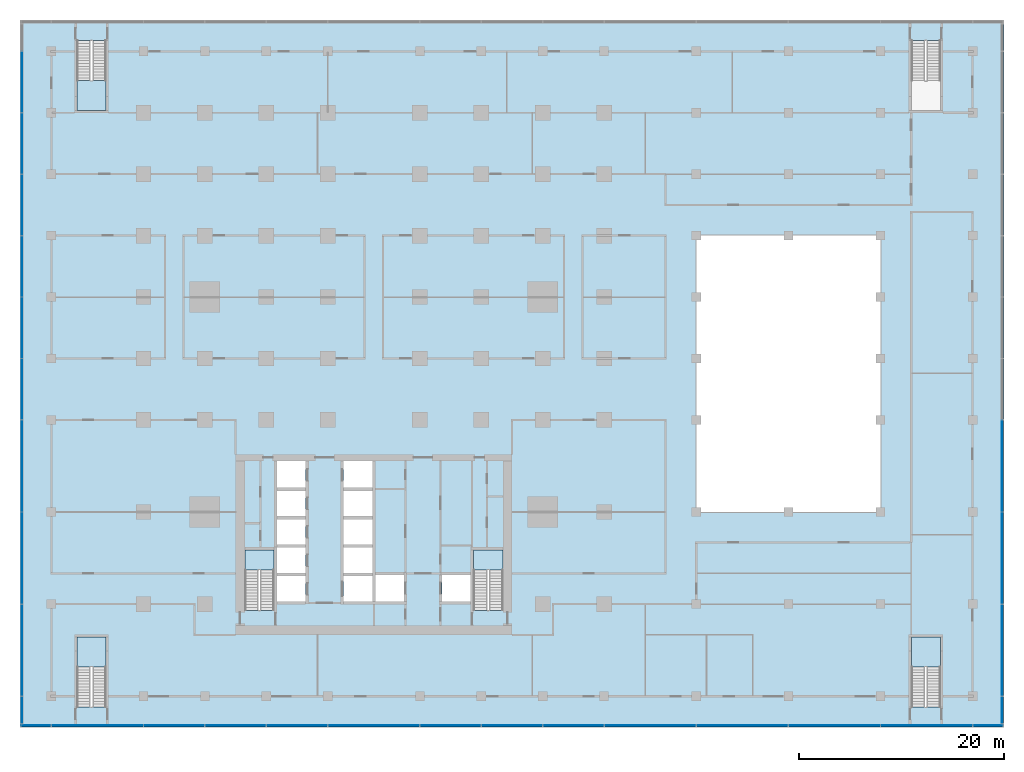
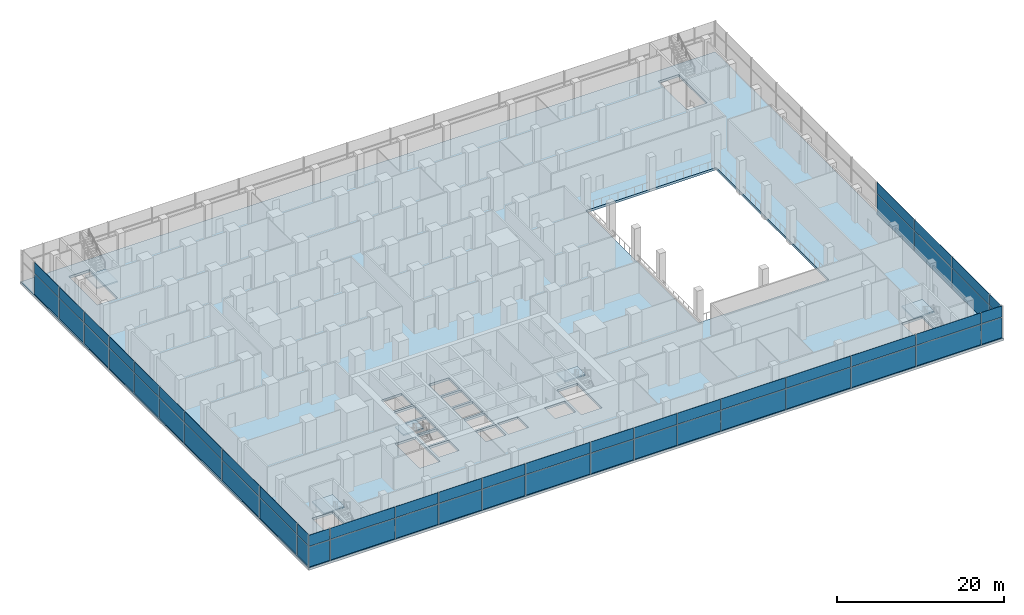
# One storey, part 10 of 22: 56 plates, 6 slabs, 8 elements without a shape of their own.
"""IFC4 building model written with IfcOpenShell, lengths in metres."""

from ifc_helpers import new_model, si_unit, direction, frame, origin, origin_2d, place, context, subcontext, project, spatial, polyline, rectangle, outline, extrude, material, layer, layer_set, type_object, element, aggregate, save


model = new_model("IFC4")

# Units and contexts
model_context = context("Model", 3, precision=1e-05, world=origin(), true_north=direction((0.0, 1.0)))
body_context = subcontext(model_context, "Body", "Model", "MODEL_VIEW")
ifc_project = project(units=[si_unit("LENGTHUNIT", "METRE"), si_unit("AREAUNIT", "SQUARE_METRE"), si_unit("VOLUMEUNIT", "CUBIC_METRE"), si_unit("PLANEANGLEUNIT", "RADIAN"), si_unit("MASSUNIT", "GRAM", prefix="KILO")], contexts=[model_context])

# Site, building, storey
site_placement = place(None, origin())
site = spatial("IfcSite", under=ifc_project, at=site_placement, CompositionType="ELEMENT")
building_placement = place(site_placement, origin())
building = spatial("IfcBuilding", under=site, at=building_placement, Name="Finial Court Residences", CompositionType="ELEMENT")
storey_placement = place(building_placement, frame((0.0, 0.0, 13.5)))
storey = spatial("IfcBuildingStorey", under=building, at=storey_placement, Name="L02", CompositionType="ELEMENT", Elevation=13.5)

# Curtain wall, plates
ifc_material_1 = material(Name="Bronze anodised aluminium", Category="aluminium")
curtain_wall_type = type_object("IfcCurtainWallType", Name="Podium curtain wall", PredefinedType="NOTDEFINED", material=ifc_material_1)
curtain_wall_1_placement = place(storey_placement, origin())
curtain_wall_1 = element("IfcCurtainWall", 1, at=curtain_wall_1_placement, inside=storey, type_object=curtain_wall_type, Name="E-L02-CW-E2", PredefinedType="NOTDEFINED")
ifc_material_2 = material(Name="Clear low-e glass", Category="glass")
ifc_layer_1 = layer(ifc_material_2, 0.035888671875)
ifc_layer_set_1 = layer_set([ifc_layer_1], Name="CW5 vision glass 36")
plate_type = type_object("IfcPlateType", Name="CW5 vision glass 36", PredefinedType="CURTAIN_PANEL", material=ifc_layer_set_1)
plate_1_placement = place(storey_placement, frame((61.35009765625, -32.8486328125, 0.0), z_axis=(0.0, 0.0, 1.0), x_axis=(0.0, 1.0, 0.0)))
plate_1 = element("IfcPlate", 2, at=plate_1_placement, type_object=plate_type, Name="CW5 glass 1.1", PredefinedType="CURTAIN_PANEL", context=body_context, shape_type="SweptSolid", body=[
    extrude(rectangle(XDim=2.617431640625, YDim=0.035888671875, at=origin_2d()), origin(), (0.0, 0.0, 1.0), 2.9599609375),
])
plate_2_placement = place(storey_placement, frame((61.35009765625, -32.8486328125, 3.0400390625), z_axis=(0.0, 0.0, 1.0), x_axis=(0.0, 1.0, 0.0)))
plate_2 = element("IfcPlate", 3, at=plate_2_placement, type_object=plate_type, Name="CW5 glass 1.2", PredefinedType="CURTAIN_PANEL", context=body_context, shape_type="SweptSolid", body=[
    extrude(rectangle(XDim=2.617431640625, YDim=0.035888671875, at=origin_2d()), origin(), (0.0, 0.0, 1.0), 1.610107421875),
])
plate_3_placement = place(storey_placement, frame((61.35009765625, -27.0, 0.0), z_axis=(0.0, 0.0, 1.0), x_axis=(0.0, 1.0, 0.0)))
plate_3 = element("IfcPlate", 4, at=plate_3_placement, type_object=plate_type, Name="CW5 glass 2.1", PredefinedType="CURTAIN_PANEL", context=body_context, shape_type="SweptSolid", body=[
    extrude(rectangle(XDim=8.919921875, YDim=0.035888671875, at=origin_2d()), origin(), (0.0, 0.0, 1.0), 2.9599609375),
])
plate_4_placement = place(storey_placement, frame((61.35009765625, -27.0, 3.0400390625), z_axis=(0.0, 0.0, 1.0), x_axis=(0.0, 1.0, 0.0)))
plate_4 = element("IfcPlate", 5, at=plate_4_placement, type_object=plate_type, Name="CW5 glass 2.2", PredefinedType="CURTAIN_PANEL", context=body_context, shape_type="SweptSolid", body=[
    extrude(rectangle(XDim=8.919921875, YDim=0.035888671875, at=origin_2d()), origin(), (0.0, 0.0, 1.0), 1.610107421875),
])
plate_5_placement = place(storey_placement, frame((61.35009765625, -18.0, 0.0), z_axis=(0.0, 0.0, 1.0), x_axis=(0.0, 1.0, 0.0)))
plate_5 = element("IfcPlate", 6, at=plate_5_placement, type_object=plate_type, Name="CW5 glass 3.1", PredefinedType="CURTAIN_PANEL", context=body_context, shape_type="SweptSolid", body=[
    extrude(rectangle(XDim=8.919921875, YDim=0.035888671875, at=origin_2d()), origin(), (0.0, 0.0, 1.0), 2.9599609375),
])
plate_6_placement = place(storey_placement, frame((61.35009765625, -18.0, 3.0400390625), z_axis=(0.0, 0.0, 1.0), x_axis=(0.0, 1.0, 0.0)))
plate_6 = element("IfcPlate", 7, at=plate_6_placement, type_object=plate_type, Name="CW5 glass 3.2", PredefinedType="CURTAIN_PANEL", context=body_context, shape_type="SweptSolid", body=[
    extrude(rectangle(XDim=8.919921875, YDim=0.035888671875, at=origin_2d()), origin(), (0.0, 0.0, 1.0), 1.610107421875),
])
plate_7_placement = place(storey_placement, frame((61.35009765625, -9.0, 0.0), z_axis=(0.0, 0.0, 1.0), x_axis=(0.0, 1.0, 0.0)))
plate_7 = element("IfcPlate", 8, at=plate_7_placement, type_object=plate_type, Name="CW5 glass 4.1", PredefinedType="CURTAIN_PANEL", context=body_context, shape_type="SweptSolid", body=[
    extrude(rectangle(XDim=8.919921875, YDim=0.035888671875, at=origin_2d()), origin(), (0.0, 0.0, 1.0), 2.9599609375),
])
plate_8_placement = place(storey_placement, frame((61.35009765625, -9.0, 3.0400390625), z_axis=(0.0, 0.0, 1.0), x_axis=(0.0, 1.0, 0.0)))
plate_8 = element("IfcPlate", 9, at=plate_8_placement, type_object=plate_type, Name="CW5 glass 4.2", PredefinedType="CURTAIN_PANEL", context=body_context, shape_type="SweptSolid", body=[
    extrude(rectangle(XDim=8.919921875, YDim=0.035888671875, at=origin_2d()), origin(), (0.0, 0.0, 1.0), 1.610107421875),
])
aggregate(curtain_wall_1, [plate_1, plate_2, plate_3, plate_4, plate_5, plate_6, plate_7, plate_8])

curtain_wall_2_placement = place(storey_placement, origin())
curtain_wall_2 = element("IfcCurtainWall", 10, at=curtain_wall_2_placement, inside=storey, type_object=curtain_wall_type, Name="E-L02-CW-S3", PredefinedType="NOTDEFINED")
plate_9_placement = place(storey_placement, frame((-32.97998046875, -34.35009765625, 0.0), z_axis=(0.0, 0.0, 1.0), x_axis=(1.0, 0.0, 0.0)))
plate_9 = element("IfcPlate", 11, at=plate_9_placement, type_object=plate_type, Name="CW5 glass 1.1", PredefinedType="CURTAIN_PANEL", context=body_context, shape_type="SweptSolid", body=[
    extrude(rectangle(XDim=2.8798828125, YDim=0.035888671875, at=origin_2d()), origin(), (0.0, 0.0, 1.0), 2.9599609375),
])
plate_10_placement = place(storey_placement, frame((-32.97998046875, -34.35009765625, 3.0400390625), z_axis=(0.0, 0.0, 1.0), x_axis=(1.0, 0.0, 0.0)))
plate_10 = element("IfcPlate", 12, at=plate_10_placement, type_object=plate_type, Name="CW5 glass 1.2", PredefinedType="CURTAIN_PANEL", context=body_context, shape_type="SweptSolid", body=[
    extrude(rectangle(XDim=2.8798828125, YDim=0.035888671875, at=origin_2d()), origin(), (0.0, 0.0, 1.0), 1.610107421875),
])
plate_11_placement = place(storey_placement, frame((-27.0, -34.35009765625, 0.0), z_axis=(0.0, 0.0, 1.0), x_axis=(1.0, 0.0, 0.0)))
plate_11 = element("IfcPlate", 13, at=plate_11_placement, type_object=plate_type, Name="CW5 glass 2.1", PredefinedType="CURTAIN_PANEL", context=body_context, shape_type="SweptSolid", body=[
    extrude(rectangle(XDim=8.919921875, YDim=0.035888671875, at=origin_2d()), origin(), (0.0, 0.0, 1.0), 2.9599609375),
])
plate_12_placement = place(storey_placement, frame((-27.0, -34.35009765625, 3.0400390625), z_axis=(0.0, 0.0, 1.0), x_axis=(1.0, 0.0, 0.0)))
plate_12 = element("IfcPlate", 14, at=plate_12_placement, type_object=plate_type, Name="CW5 glass 2.2", PredefinedType="CURTAIN_PANEL", context=body_context, shape_type="SweptSolid", body=[
    extrude(rectangle(XDim=8.919921875, YDim=0.035888671875, at=origin_2d()), origin(), (0.0, 0.0, 1.0), 1.610107421875),
])
plate_13_placement = place(storey_placement, frame((-19.5, -34.35009765625, 0.0), z_axis=(0.0, 0.0, 1.0), x_axis=(1.0, 0.0, 0.0)))
plate_13 = element("IfcPlate", 15, at=plate_13_placement, type_object=plate_type, Name="CW5 glass 3.1", PredefinedType="CURTAIN_PANEL", context=body_context, shape_type="SweptSolid", body=[
    extrude(rectangle(XDim=5.919921875, YDim=0.035888671875, at=origin_2d()), origin(), (0.0, 0.0, 1.0), 2.9599609375),
])
plate_14_placement = place(storey_placement, frame((-19.5, -34.35009765625, 3.0400390625), z_axis=(0.0, 0.0, 1.0), x_axis=(1.0, 0.0, 0.0)))
plate_14 = element("IfcPlate", 16, at=plate_14_placement, type_object=plate_type, Name="CW5 glass 3.2", PredefinedType="CURTAIN_PANEL", context=body_context, shape_type="SweptSolid", body=[
    extrude(rectangle(XDim=5.919921875, YDim=0.035888671875, at=origin_2d()), origin(), (0.0, 0.0, 1.0), 1.610107421875),
])
plate_15_placement = place(storey_placement, frame((-13.5, -34.35009765625, 0.0), z_axis=(0.0, 0.0, 1.0), x_axis=(1.0, 0.0, 0.0)))
plate_15 = element("IfcPlate", 17, at=plate_15_placement, type_object=plate_type, Name="CW5 glass 4.1", PredefinedType="CURTAIN_PANEL", context=body_context, shape_type="SweptSolid", body=[
    extrude(rectangle(XDim=5.919921875, YDim=0.035888671875, at=origin_2d()), origin(), (0.0, 0.0, 1.0), 2.9599609375),
])
plate_16_placement = place(storey_placement, frame((-13.5, -34.35009765625, 3.0400390625), z_axis=(0.0, 0.0, 1.0), x_axis=(1.0, 0.0, 0.0)))
plate_16 = element("IfcPlate", 18, at=plate_16_placement, type_object=plate_type, Name="CW5 glass 4.2", PredefinedType="CURTAIN_PANEL", context=body_context, shape_type="SweptSolid", body=[
    extrude(rectangle(XDim=5.919921875, YDim=0.035888671875, at=origin_2d()), origin(), (0.0, 0.0, 1.0), 1.610107421875),
])
plate_17_placement = place(storey_placement, frame((-7.5, -34.35009765625, 0.0), z_axis=(0.0, 0.0, 1.0), x_axis=(1.0, 0.0, 0.0)))
plate_17 = element("IfcPlate", 19, at=plate_17_placement, type_object=plate_type, Name="CW5 glass 5.1", PredefinedType="CURTAIN_PANEL", context=body_context, shape_type="SweptSolid", body=[
    extrude(rectangle(XDim=5.919921875, YDim=0.035888671875, at=origin_2d()), origin(), (0.0, 0.0, 1.0), 2.9599609375),
])
plate_18_placement = place(storey_placement, frame((-7.5, -34.35009765625, 3.0400390625), z_axis=(0.0, 0.0, 1.0), x_axis=(1.0, 0.0, 0.0)))
plate_18 = element("IfcPlate", 20, at=plate_18_placement, type_object=plate_type, Name="CW5 glass 5.2", PredefinedType="CURTAIN_PANEL", context=body_context, shape_type="SweptSolid", body=[
    extrude(rectangle(XDim=5.919921875, YDim=0.035888671875, at=origin_2d()), origin(), (0.0, 0.0, 1.0), 1.610107421875),
])
plate_19_placement = place(storey_placement, frame((0.0, -34.35009765625, 0.0), z_axis=(0.0, 0.0, 1.0), x_axis=(1.0, 0.0, 0.0)))
plate_19 = element("IfcPlate", 21, at=plate_19_placement, type_object=plate_type, Name="CW5 glass 6.1", PredefinedType="CURTAIN_PANEL", context=body_context, shape_type="SweptSolid", body=[
    extrude(rectangle(XDim=8.919921875, YDim=0.035888671875, at=origin_2d()), origin(), (0.0, 0.0, 1.0), 2.9599609375),
])
plate_20_placement = place(storey_placement, frame((0.0, -34.35009765625, 3.0400390625), z_axis=(0.0, 0.0, 1.0), x_axis=(1.0, 0.0, 0.0)))
plate_20 = element("IfcPlate", 22, at=plate_20_placement, type_object=plate_type, Name="CW5 glass 6.2", PredefinedType="CURTAIN_PANEL", context=body_context, shape_type="SweptSolid", body=[
    extrude(rectangle(XDim=8.919921875, YDim=0.035888671875, at=origin_2d()), origin(), (0.0, 0.0, 1.0), 1.610107421875),
])
plate_21_placement = place(storey_placement, frame((7.5, -34.35009765625, 0.0), z_axis=(0.0, 0.0, 1.0), x_axis=(1.0, 0.0, 0.0)))
plate_21 = element("IfcPlate", 23, at=plate_21_placement, type_object=plate_type, Name="CW5 glass 7.1", PredefinedType="CURTAIN_PANEL", context=body_context, shape_type="SweptSolid", body=[
    extrude(rectangle(XDim=5.919921875, YDim=0.035888671875, at=origin_2d()), origin(), (0.0, 0.0, 1.0), 2.9599609375),
])
plate_22_placement = place(storey_placement, frame((7.5, -34.35009765625, 3.0400390625), z_axis=(0.0, 0.0, 1.0), x_axis=(1.0, 0.0, 0.0)))
plate_22 = element("IfcPlate", 24, at=plate_22_placement, type_object=plate_type, Name="CW5 glass 7.2", PredefinedType="CURTAIN_PANEL", context=body_context, shape_type="SweptSolid", body=[
    extrude(rectangle(XDim=5.919921875, YDim=0.035888671875, at=origin_2d()), origin(), (0.0, 0.0, 1.0), 1.610107421875),
])
plate_23_placement = place(storey_placement, frame((13.5, -34.35009765625, 0.0), z_axis=(0.0, 0.0, 1.0), x_axis=(1.0, 0.0, 0.0)))
plate_23 = element("IfcPlate", 25, at=plate_23_placement, type_object=plate_type, Name="CW5 glass 8.1", PredefinedType="CURTAIN_PANEL", context=body_context, shape_type="SweptSolid", body=[
    extrude(rectangle(XDim=5.919921875, YDim=0.035888671875, at=origin_2d()), origin(), (0.0, 0.0, 1.0), 2.9599609375),
])
plate_24_placement = place(storey_placement, frame((13.5, -34.35009765625, 3.0400390625), z_axis=(0.0, 0.0, 1.0), x_axis=(1.0, 0.0, 0.0)))
plate_24 = element("IfcPlate", 26, at=plate_24_placement, type_object=plate_type, Name="CW5 glass 8.2", PredefinedType="CURTAIN_PANEL", context=body_context, shape_type="SweptSolid", body=[
    extrude(rectangle(XDim=5.919921875, YDim=0.035888671875, at=origin_2d()), origin(), (0.0, 0.0, 1.0), 1.610107421875),
])
plate_25_placement = place(storey_placement, frame((19.5, -34.35009765625, 0.0), z_axis=(0.0, 0.0, 1.0), x_axis=(1.0, 0.0, 0.0)))
plate_25 = element("IfcPlate", 27, at=plate_25_placement, type_object=plate_type, Name="CW5 glass 9.1", PredefinedType="CURTAIN_PANEL", context=body_context, shape_type="SweptSolid", body=[
    extrude(rectangle(XDim=5.919921875, YDim=0.035888671875, at=origin_2d()), origin(), (0.0, 0.0, 1.0), 2.9599609375),
])
plate_26_placement = place(storey_placement, frame((19.5, -34.35009765625, 3.0400390625), z_axis=(0.0, 0.0, 1.0), x_axis=(1.0, 0.0, 0.0)))
plate_26 = element("IfcPlate", 28, at=plate_26_placement, type_object=plate_type, Name="CW5 glass 9.2", PredefinedType="CURTAIN_PANEL", context=body_context, shape_type="SweptSolid", body=[
    extrude(rectangle(XDim=5.919921875, YDim=0.035888671875, at=origin_2d()), origin(), (0.0, 0.0, 1.0), 1.610107421875),
])
plate_27_placement = place(storey_placement, frame((27.0, -34.35009765625, 0.0), z_axis=(0.0, 0.0, 1.0), x_axis=(1.0, 0.0, 0.0)))
plate_27 = element("IfcPlate", 29, at=plate_27_placement, type_object=plate_type, Name="CW5 glass 10.1", PredefinedType="CURTAIN_PANEL", context=body_context, shape_type="SweptSolid", body=[
    extrude(rectangle(XDim=8.919921875, YDim=0.035888671875, at=origin_2d()), origin(), (0.0, 0.0, 1.0), 2.9599609375),
])
plate_28_placement = place(storey_placement, frame((27.0, -34.35009765625, 3.0400390625), z_axis=(0.0, 0.0, 1.0), x_axis=(1.0, 0.0, 0.0)))
plate_28 = element("IfcPlate", 30, at=plate_28_placement, type_object=plate_type, Name="CW5 glass 10.2", PredefinedType="CURTAIN_PANEL", context=body_context, shape_type="SweptSolid", body=[
    extrude(rectangle(XDim=8.919921875, YDim=0.035888671875, at=origin_2d()), origin(), (0.0, 0.0, 1.0), 1.610107421875),
])
plate_29_placement = place(storey_placement, frame((36.0, -34.35009765625, 0.0), z_axis=(0.0, 0.0, 1.0), x_axis=(1.0, 0.0, 0.0)))
plate_29 = element("IfcPlate", 31, at=plate_29_placement, type_object=plate_type, Name="CW5 glass 11.1", PredefinedType="CURTAIN_PANEL", context=body_context, shape_type="SweptSolid", body=[
    extrude(rectangle(XDim=8.919921875, YDim=0.035888671875, at=origin_2d()), origin(), (0.0, 0.0, 1.0), 2.9599609375),
])
plate_30_placement = place(storey_placement, frame((36.0, -34.35009765625, 3.0400390625), z_axis=(0.0, 0.0, 1.0), x_axis=(1.0, 0.0, 0.0)))
plate_30 = element("IfcPlate", 32, at=plate_30_placement, type_object=plate_type, Name="CW5 glass 11.2", PredefinedType="CURTAIN_PANEL", context=body_context, shape_type="SweptSolid", body=[
    extrude(rectangle(XDim=8.919921875, YDim=0.035888671875, at=origin_2d()), origin(), (0.0, 0.0, 1.0), 1.610107421875),
])
plate_31_placement = place(storey_placement, frame((45.0, -34.35009765625, 0.0), z_axis=(0.0, 0.0, 1.0), x_axis=(1.0, 0.0, 0.0)))
plate_31 = element("IfcPlate", 33, at=plate_31_placement, type_object=plate_type, Name="CW5 glass 12.1", PredefinedType="CURTAIN_PANEL", context=body_context, shape_type="SweptSolid", body=[
    extrude(rectangle(XDim=8.919921875, YDim=0.035888671875, at=origin_2d()), origin(), (0.0, 0.0, 1.0), 2.9599609375),
])
plate_32_placement = place(storey_placement, frame((45.0, -34.35009765625, 3.0400390625), z_axis=(0.0, 0.0, 1.0), x_axis=(1.0, 0.0, 0.0)))
plate_32 = element("IfcPlate", 34, at=plate_32_placement, type_object=plate_type, Name="CW5 glass 12.2", PredefinedType="CURTAIN_PANEL", context=body_context, shape_type="SweptSolid", body=[
    extrude(rectangle(XDim=8.919921875, YDim=0.035888671875, at=origin_2d()), origin(), (0.0, 0.0, 1.0), 1.610107421875),
])
plate_33_placement = place(storey_placement, frame((54.0, -34.35009765625, 0.0), z_axis=(0.0, 0.0, 1.0), x_axis=(1.0, 0.0, 0.0)))
plate_33 = element("IfcPlate", 35, at=plate_33_placement, type_object=plate_type, Name="CW5 glass 13.1", PredefinedType="CURTAIN_PANEL", context=body_context, shape_type="SweptSolid", body=[
    extrude(rectangle(XDim=8.919921875, YDim=0.035888671875, at=origin_2d()), origin(), (0.0, 0.0, 1.0), 2.9599609375),
])
plate_34_placement = place(storey_placement, frame((54.0, -34.35009765625, 3.0400390625), z_axis=(0.0, 0.0, 1.0), x_axis=(1.0, 0.0, 0.0)))
plate_34 = element("IfcPlate", 36, at=plate_34_placement, type_object=plate_type, Name="CW5 glass 13.2", PredefinedType="CURTAIN_PANEL", context=body_context, shape_type="SweptSolid", body=[
    extrude(rectangle(XDim=8.919921875, YDim=0.035888671875, at=origin_2d()), origin(), (0.0, 0.0, 1.0), 1.610107421875),
])
plate_35_placement = place(storey_placement, frame((59.97998046875, -34.35009765625, 0.0), z_axis=(0.0, 0.0, 1.0), x_axis=(1.0, 0.0, 0.0)))
plate_35 = element("IfcPlate", 37, at=plate_35_placement, type_object=plate_type, Name="CW5 glass 14.1", PredefinedType="CURTAIN_PANEL", context=body_context, shape_type="SweptSolid", body=[
    extrude(rectangle(XDim=2.8798828125, YDim=0.035888671875, at=origin_2d()), origin(), (0.0, 0.0, 1.0), 2.9599609375),
])
plate_36_placement = place(storey_placement, frame((59.97998046875, -34.35009765625, 3.0400390625), z_axis=(0.0, 0.0, 1.0), x_axis=(1.0, 0.0, 0.0)))
plate_36 = element("IfcPlate", 38, at=plate_36_placement, type_object=plate_type, Name="CW5 glass 14.2", PredefinedType="CURTAIN_PANEL", context=body_context, shape_type="SweptSolid", body=[
    extrude(rectangle(XDim=2.8798828125, YDim=0.035888671875, at=origin_2d()), origin(), (0.0, 0.0, 1.0), 1.610107421875),
])
aggregate(curtain_wall_2, [plate_9, plate_10, plate_11, plate_12, plate_13, plate_14, plate_15, plate_16, plate_17, plate_18, plate_19, plate_20, plate_21, plate_22, plate_23, plate_24, plate_25, plate_26, plate_27, plate_28, plate_29, plate_30, plate_31, plate_32, plate_33, plate_34, plate_35, plate_36])

curtain_wall_3_placement = place(storey_placement, origin())
curtain_wall_3 = element("IfcCurtainWall", 39, at=curtain_wall_3_placement, inside=storey, type_object=curtain_wall_type, Name="E-L02-CW-W4", PredefinedType="NOTDEFINED")
plate_37_placement = place(storey_placement, frame((-34.35009765625, -32.8486328125, 0.0), z_axis=(0.0, 0.0, 1.0), x_axis=(0.0, 1.0, 0.0)))
plate_37 = element("IfcPlate", 40, at=plate_37_placement, type_object=plate_type, Name="CW5 glass 1.1", PredefinedType="CURTAIN_PANEL", context=body_context, shape_type="SweptSolid", body=[
    extrude(rectangle(XDim=2.617431640625, YDim=0.035888671875, at=origin_2d()), origin(), (0.0, 0.0, 1.0), 2.9599609375),
])
plate_38_placement = place(storey_placement, frame((-34.35009765625, -32.8486328125, 3.0400390625), z_axis=(0.0, 0.0, 1.0), x_axis=(0.0, 1.0, 0.0)))
plate_38 = element("IfcPlate", 41, at=plate_38_placement, type_object=plate_type, Name="CW5 glass 1.2", PredefinedType="CURTAIN_PANEL", context=body_context, shape_type="SweptSolid", body=[
    extrude(rectangle(XDim=2.617431640625, YDim=0.035888671875, at=origin_2d()), origin(), (0.0, 0.0, 1.0), 1.610107421875),
])
plate_39_placement = place(storey_placement, frame((-34.35009765625, -27.0, 0.0), z_axis=(0.0, 0.0, 1.0), x_axis=(0.0, 1.0, 0.0)))
plate_39 = element("IfcPlate", 42, at=plate_39_placement, type_object=plate_type, Name="CW5 glass 2.1", PredefinedType="CURTAIN_PANEL", context=body_context, shape_type="SweptSolid", body=[
    extrude(rectangle(XDim=8.919921875, YDim=0.035888671875, at=origin_2d()), origin(), (0.0, 0.0, 1.0), 2.9599609375),
])
plate_40_placement = place(storey_placement, frame((-34.35009765625, -27.0, 3.0400390625), z_axis=(0.0, 0.0, 1.0), x_axis=(0.0, 1.0, 0.0)))
plate_40 = element("IfcPlate", 43, at=plate_40_placement, type_object=plate_type, Name="CW5 glass 2.2", PredefinedType="CURTAIN_PANEL", context=body_context, shape_type="SweptSolid", body=[
    extrude(rectangle(XDim=8.919921875, YDim=0.035888671875, at=origin_2d()), origin(), (0.0, 0.0, 1.0), 1.610107421875),
])
plate_41_placement = place(storey_placement, frame((-34.35009765625, -18.0, 0.0), z_axis=(0.0, 0.0, 1.0), x_axis=(0.0, 1.0, 0.0)))
plate_41 = element("IfcPlate", 44, at=plate_41_placement, type_object=plate_type, Name="CW5 glass 3.1", PredefinedType="CURTAIN_PANEL", context=body_context, shape_type="SweptSolid", body=[
    extrude(rectangle(XDim=8.919921875, YDim=0.035888671875, at=origin_2d()), origin(), (0.0, 0.0, 1.0), 2.9599609375),
])
plate_42_placement = place(storey_placement, frame((-34.35009765625, -18.0, 3.0400390625), z_axis=(0.0, 0.0, 1.0), x_axis=(0.0, 1.0, 0.0)))
plate_42 = element("IfcPlate", 45, at=plate_42_placement, type_object=plate_type, Name="CW5 glass 3.2", PredefinedType="CURTAIN_PANEL", context=body_context, shape_type="SweptSolid", body=[
    extrude(rectangle(XDim=8.919921875, YDim=0.035888671875, at=origin_2d()), origin(), (0.0, 0.0, 1.0), 1.610107421875),
])
plate_43_placement = place(storey_placement, frame((-34.35009765625, -9.0, 0.0), z_axis=(0.0, 0.0, 1.0), x_axis=(0.0, 1.0, 0.0)))
plate_43 = element("IfcPlate", 46, at=plate_43_placement, type_object=plate_type, Name="CW5 glass 4.1", PredefinedType="CURTAIN_PANEL", context=body_context, shape_type="SweptSolid", body=[
    extrude(rectangle(XDim=8.919921875, YDim=0.035888671875, at=origin_2d()), origin(), (0.0, 0.0, 1.0), 2.9599609375),
])
plate_44_placement = place(storey_placement, frame((-34.35009765625, -9.0, 3.0400390625), z_axis=(0.0, 0.0, 1.0), x_axis=(0.0, 1.0, 0.0)))
plate_44 = element("IfcPlate", 47, at=plate_44_placement, type_object=plate_type, Name="CW5 glass 4.2", PredefinedType="CURTAIN_PANEL", context=body_context, shape_type="SweptSolid", body=[
    extrude(rectangle(XDim=8.919921875, YDim=0.035888671875, at=origin_2d()), origin(), (0.0, 0.0, 1.0), 1.610107421875),
])
plate_45_placement = place(storey_placement, frame((-34.35009765625, -1.5, 0.0), z_axis=(0.0, 0.0, 1.0), x_axis=(0.0, 1.0, 0.0)))
plate_45 = element("IfcPlate", 48, at=plate_45_placement, type_object=plate_type, Name="CW5 glass 5.1", PredefinedType="CURTAIN_PANEL", context=body_context, shape_type="SweptSolid", body=[
    extrude(rectangle(XDim=5.919921875, YDim=0.035888671875, at=origin_2d()), origin(), (0.0, 0.0, 1.0), 2.9599609375),
])
plate_46_placement = place(storey_placement, frame((-34.35009765625, -1.5, 3.0400390625), z_axis=(0.0, 0.0, 1.0), x_axis=(0.0, 1.0, 0.0)))
plate_46 = element("IfcPlate", 49, at=plate_46_placement, type_object=plate_type, Name="CW5 glass 5.2", PredefinedType="CURTAIN_PANEL", context=body_context, shape_type="SweptSolid", body=[
    extrude(rectangle(XDim=5.919921875, YDim=0.035888671875, at=origin_2d()), origin(), (0.0, 0.0, 1.0), 1.610107421875),
])
plate_47_placement = place(storey_placement, frame((-34.35009765625, 4.5, 0.0), z_axis=(0.0, 0.0, 1.0), x_axis=(0.0, 1.0, 0.0)))
plate_47 = element("IfcPlate", 50, at=plate_47_placement, type_object=plate_type, Name="CW5 glass 6.1", PredefinedType="CURTAIN_PANEL", context=body_context, shape_type="SweptSolid", body=[
    extrude(rectangle(XDim=5.919921875, YDim=0.035888671875, at=origin_2d()), origin(), (0.0, 0.0, 1.0), 2.9599609375),
])
plate_48_placement = place(storey_placement, frame((-34.35009765625, 4.5, 3.0400390625), z_axis=(0.0, 0.0, 1.0), x_axis=(0.0, 1.0, 0.0)))
plate_48 = element("IfcPlate", 51, at=plate_48_placement, type_object=plate_type, Name="CW5 glass 6.2", PredefinedType="CURTAIN_PANEL", context=body_context, shape_type="SweptSolid", body=[
    extrude(rectangle(XDim=5.919921875, YDim=0.035888671875, at=origin_2d()), origin(), (0.0, 0.0, 1.0), 1.610107421875),
])
plate_49_placement = place(storey_placement, frame((-34.35009765625, 10.5, 0.0), z_axis=(0.0, 0.0, 1.0), x_axis=(0.0, 1.0, 0.0)))
plate_49 = element("IfcPlate", 52, at=plate_49_placement, type_object=plate_type, Name="CW5 glass 7.1", PredefinedType="CURTAIN_PANEL", context=body_context, shape_type="SweptSolid", body=[
    extrude(rectangle(XDim=5.919921875, YDim=0.035888671875, at=origin_2d()), origin(), (0.0, 0.0, 1.0), 2.9599609375),
])
plate_50_placement = place(storey_placement, frame((-34.35009765625, 10.5, 3.0400390625), z_axis=(0.0, 0.0, 1.0), x_axis=(0.0, 1.0, 0.0)))
plate_50 = element("IfcPlate", 53, at=plate_50_placement, type_object=plate_type, Name="CW5 glass 7.2", PredefinedType="CURTAIN_PANEL", context=body_context, shape_type="SweptSolid", body=[
    extrude(rectangle(XDim=5.919921875, YDim=0.035888671875, at=origin_2d()), origin(), (0.0, 0.0, 1.0), 1.610107421875),
])
plate_51_placement = place(storey_placement, frame((-34.35009765625, 16.5, 0.0), z_axis=(0.0, 0.0, 1.0), x_axis=(0.0, 1.0, 0.0)))
plate_51 = element("IfcPlate", 54, at=plate_51_placement, type_object=plate_type, Name="CW5 glass 8.1", PredefinedType="CURTAIN_PANEL", context=body_context, shape_type="SweptSolid", body=[
    extrude(rectangle(XDim=5.919921875, YDim=0.035888671875, at=origin_2d()), origin(), (0.0, 0.0, 1.0), 2.9599609375),
])
plate_52_placement = place(storey_placement, frame((-34.35009765625, 16.5, 3.0400390625), z_axis=(0.0, 0.0, 1.0), x_axis=(0.0, 1.0, 0.0)))
plate_52 = element("IfcPlate", 55, at=plate_52_placement, type_object=plate_type, Name="CW5 glass 8.2", PredefinedType="CURTAIN_PANEL", context=body_context, shape_type="SweptSolid", body=[
    extrude(rectangle(XDim=5.919921875, YDim=0.035888671875, at=origin_2d()), origin(), (0.0, 0.0, 1.0), 1.610107421875),
])
plate_53_placement = place(storey_placement, frame((-34.35009765625, 22.5, 0.0), z_axis=(0.0, 0.0, 1.0), x_axis=(0.0, 1.0, 0.0)))
plate_53 = element("IfcPlate", 56, at=plate_53_placement, type_object=plate_type, Name="CW5 glass 9.1", PredefinedType="CURTAIN_PANEL", context=body_context, shape_type="SweptSolid", body=[
    extrude(rectangle(XDim=5.919921875, YDim=0.035888671875, at=origin_2d()), origin(), (0.0, 0.0, 1.0), 2.9599609375),
])
plate_54_placement = place(storey_placement, frame((-34.35009765625, 22.5, 3.0400390625), z_axis=(0.0, 0.0, 1.0), x_axis=(0.0, 1.0, 0.0)))
plate_54 = element("IfcPlate", 57, at=plate_54_placement, type_object=plate_type, Name="CW5 glass 9.2", PredefinedType="CURTAIN_PANEL", context=body_context, shape_type="SweptSolid", body=[
    extrude(rectangle(XDim=5.919921875, YDim=0.035888671875, at=origin_2d()), origin(), (0.0, 0.0, 1.0), 1.610107421875),
])
plate_55_placement = place(storey_placement, frame((-34.35009765625, 28.5, 0.0), z_axis=(0.0, 0.0, 1.0), x_axis=(0.0, 1.0, 0.0)))
plate_55 = element("IfcPlate", 58, at=plate_55_placement, type_object=plate_type, Name="CW5 glass 10.1", PredefinedType="CURTAIN_PANEL", context=body_context, shape_type="SweptSolid", body=[
    extrude(rectangle(XDim=5.919921875, YDim=0.035888671875, at=origin_2d()), origin(), (0.0, 0.0, 1.0), 2.9599609375),
])
plate_56_placement = place(storey_placement, frame((-34.35009765625, 28.5, 3.0400390625), z_axis=(0.0, 0.0, 1.0), x_axis=(0.0, 1.0, 0.0)))
plate_56 = element("IfcPlate", 59, at=plate_56_placement, type_object=plate_type, Name="CW5 glass 10.2", PredefinedType="CURTAIN_PANEL", context=body_context, shape_type="SweptSolid", body=[
    extrude(rectangle(XDim=5.919921875, YDim=0.035888671875, at=origin_2d()), origin(), (0.0, 0.0, 1.0), 1.610107421875),
])
aggregate(curtain_wall_3, [plate_37, plate_38, plate_39, plate_40, plate_41, plate_42, plate_43, plate_44, plate_45, plate_46, plate_47, plate_48, plate_49, plate_50, plate_51, plate_52, plate_53, plate_54, plate_55, plate_56])

# Stair, slab
ifc_material_3 = material(Name="Concrete C50/60", Category="concrete")
stair_type = type_object("IfcStairType", Name="Exit stair 30 risers of 166.7 mm", PredefinedType="HALF_TURN_STAIR", material=ifc_material_3)
stair_1_placement = place(storey_placement, origin())
stair_1 = element("IfcStair", 60, at=stair_1_placement, inside=storey, type_object=stair_type, Name="L02 Exit stair ST-1", PredefinedType="HALF_TURN_STAIR")
ifc_layer_2 = layer(ifc_material_3, 0.199951171875)
ifc_layer_set_2 = layer_set([ifc_layer_2], Name="Exit stair landing")
slab_type_1 = type_object("IfcSlabType", Name="Exit stair landing", PredefinedType="LANDING", material=ifc_layer_set_2)
slab_1_placement = place(storey_placement, frame((0.0, 0.0, 2.300048828125)))
slab_1 = element("IfcSlab", 61, at=slab_1_placement, type_object=slab_type_1, Name="ST-1 landing 1", PredefinedType="LANDING", context=body_context, shape_type="SweptSolid", body=[
    extrude(outline(polyline([(-9.75, -19.179931640625), (-9.75, -17.199951171875), (-12.60009765625, -17.199951171875), (-12.60009765625, -19.179931640625), (-9.75, -19.179931640625)])), origin(), (0.0, 0.0, 1.0), 0.199951171875),
])
aggregate(stair_1, [slab_1])

stair_2_placement = place(storey_placement, origin())
stair_2 = element("IfcStair", 62, at=stair_2_placement, inside=storey, type_object=stair_type, Name="L02 Exit stair ST-2", PredefinedType="HALF_TURN_STAIR")
slab_2_placement = place(storey_placement, frame((0.0, 0.0, 2.300048828125)))
slab_2 = element("IfcSlab", 63, at=slab_2_placement, type_object=slab_type_1, Name="ST-2 landing 1", PredefinedType="LANDING", context=body_context, shape_type="SweptSolid", body=[
    extrude(outline(polyline([(12.60009765625, -19.179931640625), (12.60009765625, -17.199951171875), (9.75, -17.199951171875), (9.75, -19.179931640625), (12.60009765625, -19.179931640625)])), origin(), (0.0, 0.0, 1.0), 0.199951171875),
])
aggregate(stair_2, [slab_2])

stair_3_placement = place(storey_placement, origin())
stair_3 = element("IfcStair", 64, at=stair_3_placement, inside=storey, type_object=stair_type, Name="L02 Exit Stair 3", PredefinedType="HALF_TURN_STAIR")
slab_3_placement = place(storey_placement, frame((0.0, 0.0, 2.300048828125)))
slab_3 = element("IfcSlab", 65, at=slab_3_placement, type_object=slab_type_1, Name="ST-3 landing 1", PredefinedType="LANDING", context=body_context, shape_type="SweptSolid", body=[
    extrude(outline(polyline([(55.35009765625, -28.6298828125), (55.35009765625, -25.719970703125), (52.5, -25.719970703125), (52.5, -28.6298828125), (55.35009765625, -28.6298828125)])), origin(), (0.0, 0.0, 1.0), 0.199951171875),
])
aggregate(stair_3, [slab_3])

stair_4_placement = place(storey_placement, origin())
stair_4 = element("IfcStair", 66, at=stair_4_placement, inside=storey, type_object=stair_type, Name="L02 Exit Stair 4", PredefinedType="HALF_TURN_STAIR")
slab_4_placement = place(storey_placement, frame((0.0, 0.0, 2.300048828125)))
slab_4 = element("IfcSlab", 67, at=slab_4_placement, type_object=slab_type_1, Name="ST-4 landing 1", PredefinedType="LANDING", context=body_context, shape_type="SweptSolid", body=[
    extrude(outline(polyline([(-26.14990234375, -28.6298828125), (-26.14990234375, -25.719970703125), (-29.0, -25.719970703125), (-29.0, -28.6298828125), (-26.14990234375, -28.6298828125)])), origin(), (0.0, 0.0, 1.0), 0.199951171875),
])
aggregate(stair_4, [slab_4])

stair_5_placement = place(storey_placement, origin())
stair_5 = element("IfcStair", 68, at=stair_5_placement, inside=storey, type_object=stair_type, Name="L02 Exit Stair 6", PredefinedType="HALF_TURN_STAIR")
slab_5_placement = place(storey_placement, frame((0.0, 0.0, 2.300048828125)))
slab_5 = element("IfcSlab", 69, at=slab_5_placement, type_object=slab_type_1, Name="ST-6 landing 1", PredefinedType="LANDING", context=body_context, shape_type="SweptSolid", body=[
    extrude(outline(polyline([(-29.0, 28.6298828125), (-29.0, 25.719970703125), (-26.14990234375, 25.719970703125), (-26.14990234375, 28.6298828125), (-29.0, 28.6298828125)])), origin(), (0.0, 0.0, 1.0), 0.199951171875),
])
aggregate(stair_5, [slab_5])

# Slab
ifc_material_4 = material(Name="Concrete C40/50", Category="concrete")
ifc_layer_3 = layer(ifc_material_4, 0.35009765625)
ifc_layer_set_3 = layer_set([ifc_layer_3], Name="Flat plate slab 350 Concrete C40/50")
slab_type_2 = type_object("IfcSlabType", Name="Flat plate slab 350 Concrete C40/50", PredefinedType="FLOOR", material=ifc_layer_set_3)
slab_6_placement = place(storey_placement, frame((0.0, 0.0, -0.35009765625)))
element("IfcSlab", 70, at=slab_6_placement, inside=storey, type_object=slab_type_2, Name="S:SLAB:L02", PredefinedType="FLOOR", context=body_context, shape_type="SweptSolid", body=[
    extrude(outline(polyline([(-34.5, 34.5), (61.5, 34.5), (61.5, -34.5), (-34.5, -34.5), (-34.5, 34.5)]), holes=[polyline([(31.5, 13.5), (31.5, -13.5), (49.5, -13.5), (49.5, 13.5), (31.5, 13.5)]), polyline([(-26.14990234375, -25.719970703125), (-29.0, -25.719970703125), (-29.0, -32.549072265625), (-26.14990234375, -32.549072265625), (-26.14990234375, -25.719970703125)]), polyline([(-6.64990234375, -22.25), (-6.64990234375, -19.77001953125), (-9.449951171875, -19.77001953125), (-9.449951171875, -22.25), (-6.64990234375, -22.25)]), polyline([(-9.75, -17.199951171875), (-12.60009765625, -17.199951171875), (-12.60009765625, -23.09912109375), (-9.75, -23.09912109375), (-9.75, -17.199951171875)]), polyline([(-6.64990234375, -19.469970703125), (-6.64990234375, -16.989990234375), (-9.449951171875, -16.989990234375), (-9.449951171875, -19.469970703125), (-6.64990234375, -19.469970703125)]), polyline([(-6.64990234375, -16.68994140625), (-6.64990234375, -14.2099609375), (-9.449951171875, -14.2099609375), (-9.449951171875, -16.68994140625), (-6.64990234375, -16.68994140625)]), polyline([(-0.14990234375, -16.68994140625), (-0.14990234375, -14.2099609375), (-2.949951171875, -14.2099609375), (-2.949951171875, -16.68994140625), (-0.14990234375, -16.68994140625)]), polyline([(-6.64990234375, -13.909912109375), (-6.64990234375, -11.429931640625), (-9.449951171875, -11.429931640625), (-9.449951171875, -13.909912109375), (-6.64990234375, -13.909912109375)]), polyline([(-9.449951171875, -11.1298828125), (-6.64990234375, -11.1298828125), (-6.64990234375, -8.5), (-9.449951171875, -8.5), (-9.449951171875, -11.1298828125)]), polyline([(-26.14990234375, 25.719970703125), (-26.14990234375, 32.549072265625), (-29.0, 32.549072265625), (-29.0, 25.719970703125), (-26.14990234375, 25.719970703125)]), polyline([(55.35009765625, -25.719970703125), (52.5, -25.719970703125), (52.5, -32.549072265625), (55.35009765625, -32.549072265625), (55.35009765625, -25.719970703125)]), polyline([(-0.14990234375, -22.25), (-0.14990234375, -19.77001953125), (-2.949951171875, -19.77001953125), (-2.949951171875, -22.25), (-0.14990234375, -22.25)]), polyline([(2.949951171875, -22.25), (2.949951171875, -19.64990234375), (0.14990234375, -19.64990234375), (0.14990234375, -22.25), (2.949951171875, -22.25)]), polyline([(9.449951171875, -22.25), (9.449951171875, -19.64990234375), (6.64990234375, -19.64990234375), (6.64990234375, -22.25), (9.449951171875, -22.25)]), polyline([(12.60009765625, -17.199951171875), (9.75, -17.199951171875), (9.75, -23.09912109375), (12.60009765625, -23.09912109375), (12.60009765625, -17.199951171875)]), polyline([(-0.14990234375, -19.469970703125), (-0.14990234375, -16.989990234375), (-2.949951171875, -16.989990234375), (-2.949951171875, -19.469970703125), (-0.14990234375, -19.469970703125)]), polyline([(-0.14990234375, -13.909912109375), (-0.14990234375, -11.429931640625), (-2.949951171875, -11.429931640625), (-2.949951171875, -13.909912109375), (-0.14990234375, -13.909912109375)]), polyline([(-2.949951171875, -11.1298828125), (-0.14990234375, -11.1298828125), (-0.14990234375, -8.5), (-2.949951171875, -8.5), (-2.949951171875, -11.1298828125)]), polyline([(55.35009765625, 25.719970703125), (55.35009765625, 32.549072265625), (52.5, 32.549072265625), (52.5, 25.719970703125), (55.35009765625, 25.719970703125)])]), origin(), (0.0, 0.0, 1.0), 0.35009765625),
])

save(model, "model.ifc")
